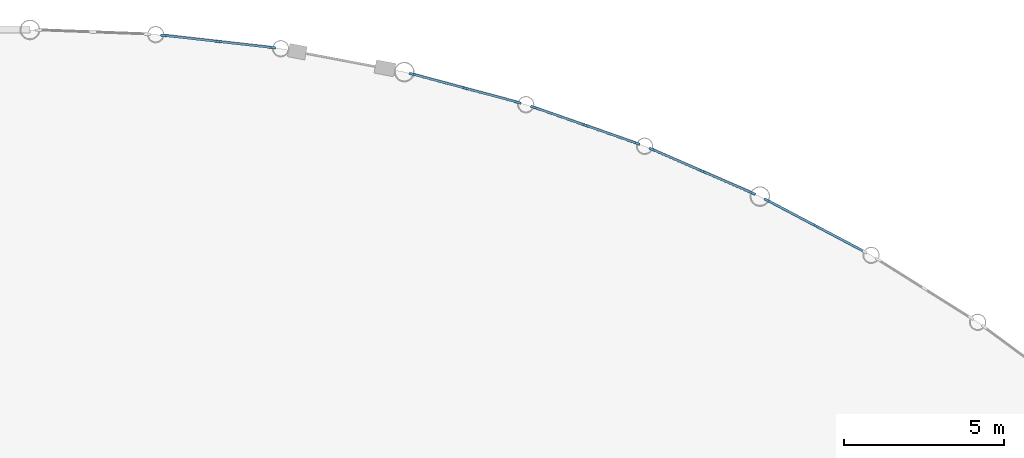
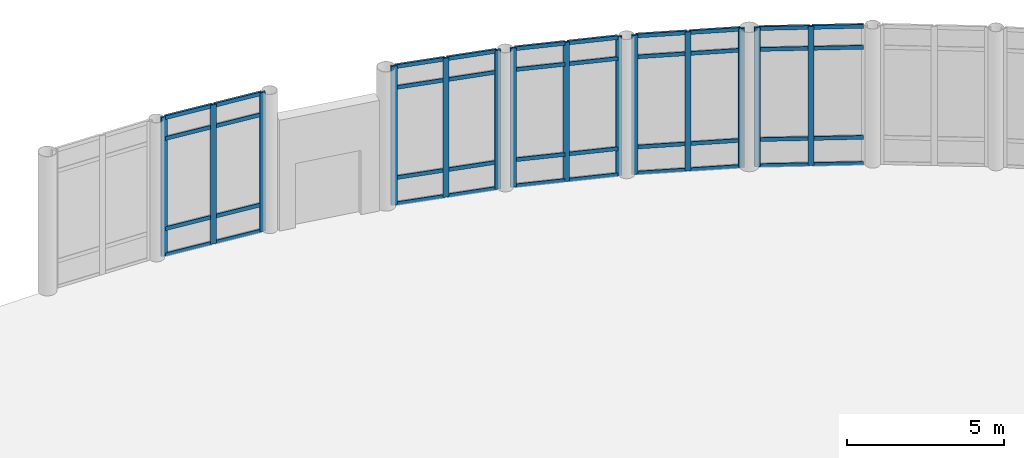
# One storey, part 74 of 111: 54 members, 5 elements without a shape of their own.
"""IFC4 building model written with IfcOpenShell, lengths in metres."""

from ifc_helpers import new_model, si_unit, direction, frame, origin, origin_2d, place, context, subcontext, project, spatial, rectangle, extrude, material, layer, layer_set, material_profile, profile_set, type_object, element, aggregate, save


model = new_model("IFC4")

# Units and contexts
model_context = context("Model", 3, precision=1e-05, world=origin(), true_north=direction((0.0, 1.0)))
body_context = subcontext(model_context, "Body", "Model", "MODEL_VIEW")
ifc_project = project(units=[si_unit("LENGTHUNIT", "METRE"), si_unit("AREAUNIT", "SQUARE_METRE"), si_unit("VOLUMEUNIT", "CUBIC_METRE"), si_unit("PLANEANGLEUNIT", "RADIAN"), si_unit("MASSUNIT", "GRAM", prefix="KILO"), si_unit("THERMODYNAMICTEMPERATUREUNIT", "KELVIN"), si_unit("POWERUNIT", "WATT")], contexts=[model_context])

# Site, building, storey
site_placement = place(None, origin())
site = spatial("IfcSite", under=ifc_project, at=site_placement, CompositionType="ELEMENT")
building_placement = place(site_placement, origin())
building = spatial("IfcBuilding", under=site, at=building_placement, Name="Tembeka Court Mobility Hub", CompositionType="ELEMENT")
storey_placement = place(building_placement, origin())
storey = spatial("IfcBuildingStorey", under=building, at=storey_placement, Name="L00", CompositionType="ELEMENT", Elevation=0.0)

# Curtain wall, members
ifc_material = material(Name="Anodised aluminium 6063-T6", Category="aluminium")
ifc_layer = layer(ifc_material, 0.199951171875)
ifc_layer_set = layer_set([ifc_layer], Name="Anodised aluminium 6063-T6")
curtain_wall_type = type_object("IfcCurtainWallType", Name="CW-SYS24", PredefinedType="USERDEFINED", material=ifc_layer_set)
curtain_wall_1_placement = place(storey_placement, origin())
curtain_wall_1 = element("IfcCurtainWall", 1, at=curtain_wall_1_placement, inside=storey, type_object=curtain_wall_type, Name="Unitised curtain wall CW24 (CW-L00-071)", ObjectType="UNITISED GLAZING", PredefinedType="USERDEFINED")
ifc_material_profile_1 = material_profile(ifc_material, rectangle(XDim=0.074951171875, YDim=0.199951171875, at=origin_2d()), Name="ALU-MUL 75x200")
ifc_profile_set_1 = profile_set([ifc_material_profile_1], Name="Anodised aluminium 6063-T6")
member_type_1 = type_object("IfcMemberType", Name="CW-MUL02", PredefinedType="MULLION", material=ifc_profile_set_1)
member_1_placement = place(storey_placement, frame((148.41455078125, 112.68359375, 0.0), z_axis=(0.0, 0.0, 1.0), x_axis=(-0.467282662225, -0.884107976202, 0.0)))
member_1 = element("IfcMember", 2, at=member_1_placement, type_object=member_type_1, Name="CW24 mullion 2", PredefinedType="MULLION", context=body_context, shape_type="SweptSolid", body=[
    extrude(rectangle(XDim=0.074951171875, YDim=0.199951171875, at=origin_2d()), origin(), (0.0, 0.0, 1.0), 5.39990234375),
])
member_2_placement = place(storey_placement, frame((146.906494140625, 113.48046875, 0.0), z_axis=(0.0, 0.0, 1.0), x_axis=(-0.467282662225, -0.884107976202, 0.0)))
member_2 = element("IfcMember", 3, at=member_2_placement, type_object=member_type_1, Name="CW24 mullion 3", PredefinedType="MULLION", context=body_context, shape_type="SweptSolid", body=[
    extrude(rectangle(XDim=0.074951171875, YDim=0.199951171875, at=origin_2d()), origin(), (0.0, 0.0, 1.0), 5.39990234375),
])

curtain_wall_2_placement = place(storey_placement, origin())
curtain_wall_2 = element("IfcCurtainWall", 4, at=curtain_wall_2_placement, inside=storey, type_object=curtain_wall_type, Name="Unitised curtain wall CW24 (CW-L00-073)", ObjectType="UNITISED GLAZING", PredefinedType="USERDEFINED")
member_3_placement = place(storey_placement, frame((146.44287109375, 113.703857421875, 0.0), z_axis=(0.0, 0.0, 1.0), x_axis=(-0.399869097757, -0.916572258286, 0.0)))
member_3 = element("IfcMember", 5, at=member_3_placement, type_object=member_type_1, Name="CW24 mullion 1", PredefinedType="MULLION", context=body_context, shape_type="SweptSolid", body=[
    extrude(rectangle(XDim=0.074951171875, YDim=0.199951171875, at=origin_2d()), origin(), (0.0, 0.0, 1.0), 5.39990234375),
])
member_4_placement = place(storey_placement, frame((144.879638671875, 114.385986328125, 0.0), z_axis=(0.0, 0.0, 1.0), x_axis=(-0.399869097757, -0.916572258286, 0.0)))
member_4 = element("IfcMember", 6, at=member_4_placement, type_object=member_type_1, Name="CW24 mullion 2", PredefinedType="MULLION", context=body_context, shape_type="SweptSolid", body=[
    extrude(rectangle(XDim=0.074951171875, YDim=0.199951171875, at=origin_2d()), origin(), (0.0, 0.0, 1.0), 5.39990234375),
])
member_5_placement = place(storey_placement, frame((143.31640625, 115.06787109375, 0.0), z_axis=(0.0, 0.0, 1.0), x_axis=(-0.399869097757, -0.916572258286, 0.0)))
member_5 = element("IfcMember", 7, at=member_5_placement, type_object=member_type_1, Name="CW24 mullion 3", PredefinedType="MULLION", context=body_context, shape_type="SweptSolid", body=[
    extrude(rectangle(XDim=0.074951171875, YDim=0.199951171875, at=origin_2d()), origin(), (0.0, 0.0, 1.0), 5.39990234375),
])

curtain_wall_3_placement = place(storey_placement, origin())
curtain_wall_3 = element("IfcCurtainWall", 8, at=curtain_wall_3_placement, inside=storey, type_object=curtain_wall_type, Name="Unitised curtain wall CW24 (CW-L00-075)", ObjectType="UNITISED GLAZING", PredefinedType="USERDEFINED")
member_6_placement = place(storey_placement, frame((142.83740234375, 115.256103515625, 0.0), z_axis=(0.0, 0.0, 1.0), x_axis=(-0.330263534352, -0.943888763508, 0.0)))
member_6 = element("IfcMember", 9, at=member_6_placement, type_object=member_type_1, Name="CW24 mullion 1", PredefinedType="MULLION", context=body_context, shape_type="SweptSolid", body=[
    extrude(rectangle(XDim=0.074951171875, YDim=0.199951171875, at=origin_2d()), origin(), (0.0, 0.0, 1.0), 5.39990234375),
])
member_7_placement = place(storey_placement, frame((141.2275390625, 115.8193359375, 0.0), z_axis=(0.0, 0.0, 1.0), x_axis=(-0.330263534352, -0.943888763508, 0.0)))
member_7 = element("IfcMember", 10, at=member_7_placement, type_object=member_type_1, Name="CW24 mullion 2", PredefinedType="MULLION", context=body_context, shape_type="SweptSolid", body=[
    extrude(rectangle(XDim=0.074951171875, YDim=0.199951171875, at=origin_2d()), origin(), (0.0, 0.0, 1.0), 5.39990234375),
])
member_8_placement = place(storey_placement, frame((139.61767578125, 116.382568359375, 0.0), z_axis=(0.0, 0.0, 1.0), x_axis=(-0.330263534352, -0.943888763508, 0.0)))
member_8 = element("IfcMember", 11, at=member_8_placement, type_object=member_type_1, Name="CW24 mullion 3", PredefinedType="MULLION", context=body_context, shape_type="SweptSolid", body=[
    extrude(rectangle(XDim=0.074951171875, YDim=0.199951171875, at=origin_2d()), origin(), (0.0, 0.0, 1.0), 5.39990234375),
])

curtain_wall_4_placement = place(storey_placement, origin())
curtain_wall_4 = element("IfcCurtainWall", 12, at=curtain_wall_4_placement, inside=storey, type_object=curtain_wall_type, Name="Unitised curtain wall CW24 (CW-L00-077)", ObjectType="UNITISED GLAZING", PredefinedType="USERDEFINED")
member_9_placement = place(storey_placement, frame((139.1259765625, 116.5341796875, 0.0), z_axis=(0.0, 0.0, 1.0), x_axis=(-0.258828327951, -0.96592333891, 0.0)))
member_9 = element("IfcMember", 13, at=member_9_placement, type_object=member_type_1, Name="CW24 mullion 1", PredefinedType="MULLION", context=body_context, shape_type="SweptSolid", body=[
    extrude(rectangle(XDim=0.074951171875, YDim=0.199951171875, at=origin_2d()), origin(), (0.0, 0.0, 1.0), 5.39990234375),
])
member_10_placement = place(storey_placement, frame((137.478515625, 116.9755859375, 0.0), z_axis=(0.0, 0.0, 1.0), x_axis=(-0.258828327951, -0.96592333891, 0.0)))
member_10 = element("IfcMember", 14, at=member_10_placement, type_object=member_type_1, Name="CW24 mullion 2", PredefinedType="MULLION", context=body_context, shape_type="SweptSolid", body=[
    extrude(rectangle(XDim=0.074951171875, YDim=0.199951171875, at=origin_2d()), origin(), (0.0, 0.0, 1.0), 5.39990234375),
])
member_11_placement = place(storey_placement, frame((135.8310546875, 117.4169921875, 0.0), z_axis=(0.0, 0.0, 1.0), x_axis=(-0.258828327951, -0.96592333891, 0.0)))
member_11 = element("IfcMember", 15, at=member_11_placement, type_object=member_type_1, Name="CW24 mullion 3", PredefinedType="MULLION", context=body_context, shape_type="SweptSolid", body=[
    extrude(rectangle(XDim=0.074951171875, YDim=0.199951171875, at=origin_2d()), origin(), (0.0, 0.0, 1.0), 5.39990234375),
])

curtain_wall_5_placement = place(storey_placement, origin())
curtain_wall_5 = element("IfcCurtainWall", 16, at=curtain_wall_5_placement, inside=storey, type_object=curtain_wall_type, Name="Unitised curtain wall CW24 (CW-L00-079)", ObjectType="UNITISED GLAZING", PredefinedType="USERDEFINED")
member_12_placement = place(storey_placement, frame((131.46875, 118.242431640625, 0.0), z_axis=(0.0, 0.0, 1.0), x_axis=(-0.111986683735, -0.993709707443, 0.0)))
member_12 = element("IfcMember", 17, at=member_12_placement, type_object=member_type_1, Name="CW24 mullion 1", PredefinedType="MULLION", context=body_context, shape_type="SweptSolid", body=[
    extrude(rectangle(XDim=0.074951171875, YDim=0.199951171875, at=origin_2d()), origin(), (0.0, 0.0, 1.0), 5.39990234375),
])
member_13_placement = place(storey_placement, frame((129.77392578125, 118.433349609375, 0.0), z_axis=(0.0, 0.0, 1.0), x_axis=(-0.111986683735, -0.993709707443, 0.0)))
member_13 = element("IfcMember", 18, at=member_13_placement, type_object=member_type_1, Name="CW24 mullion 2", PredefinedType="MULLION", context=body_context, shape_type="SweptSolid", body=[
    extrude(rectangle(XDim=0.074951171875, YDim=0.199951171875, at=origin_2d()), origin(), (0.0, 0.0, 1.0), 5.39990234375),
])
member_14_placement = place(storey_placement, frame((128.0791015625, 118.62451171875, 0.0), z_axis=(0.0, 0.0, 1.0), x_axis=(-0.111986683735, -0.993709707443, 0.0)))
member_14 = element("IfcMember", 19, at=member_14_placement, type_object=member_type_1, Name="CW24 mullion 3", PredefinedType="MULLION", context=body_context, shape_type="SweptSolid", body=[
    extrude(rectangle(XDim=0.074951171875, YDim=0.199951171875, at=origin_2d()), origin(), (0.0, 0.0, 1.0), 5.39990234375),
])

# Member
ifc_material_profile_2 = material_profile(ifc_material, rectangle(XDim=0.074951171875, YDim=0.14990234375, at=origin_2d()), Name="ALU-TRN 75x150")
ifc_profile_set_2 = profile_set([ifc_material_profile_2], Name="Anodised aluminium 6063-T6")
member_type_2 = type_object("IfcMemberType", Name="CW-TRN02", PredefinedType="USERDEFINED", material=ifc_profile_set_2)
member_15_placement = place(storey_placement, frame((149.88916015625, 111.904052734375, 0.03759765625), z_axis=(-0.884108194954, 0.467282248341, 0.0), x_axis=(-0.467282248341, -0.884108194954, 0.0)))
member_15 = element("IfcMember", 20, at=member_15_placement, type_object=member_type_2, Name="CW24 transom 1.1", ObjectType="TRANSOM", PredefinedType="USERDEFINED", context=body_context, shape_type="SweptSolid", body=[
    extrude(rectangle(XDim=0.074951171875, YDim=0.14990234375, at=origin_2d()), origin(), (0.0, 0.0, 1.0), 1.630615234375),
])

member_16_placement = place(storey_placement, frame((149.88916015625, 111.904052734375, 1.050048828125), z_axis=(-0.884108194954, 0.467282248341, 0.0), x_axis=(-0.467282248341, -0.884108194954, 0.0)))
member_16 = element("IfcMember", 21, at=member_16_placement, type_object=member_type_2, Name="CW24 transom 1.2", ObjectType="TRANSOM", PredefinedType="USERDEFINED", context=body_context, shape_type="SweptSolid", body=[
    extrude(rectangle(XDim=0.074951171875, YDim=0.14990234375, at=origin_2d()), origin(), (0.0, 0.0, 1.0), 1.630615234375),
])

member_17_placement = place(storey_placement, frame((149.88916015625, 111.904052734375, 4.550048828125), z_axis=(-0.884108194954, 0.467282248341, 0.0), x_axis=(-0.467282248341, -0.884108194954, 0.0)))
member_17 = element("IfcMember", 22, at=member_17_placement, type_object=member_type_2, Name="CW24 transom 1.3", ObjectType="TRANSOM", PredefinedType="USERDEFINED", context=body_context, shape_type="SweptSolid", body=[
    extrude(rectangle(XDim=0.074951171875, YDim=0.14990234375, at=origin_2d()), origin(), (0.0, 0.0, 1.0), 1.630615234375),
])

member_18_placement = place(storey_placement, frame((149.88916015625, 111.904052734375, 5.362548828125), z_axis=(-0.884108194954, 0.467282248341, 0.0), x_axis=(-0.467282248341, -0.884108194954, 0.0)))
member_18 = element("IfcMember", 23, at=member_18_placement, type_object=member_type_2, Name="CW24 transom 1.4", ObjectType="TRANSOM", PredefinedType="USERDEFINED", context=body_context, shape_type="SweptSolid", body=[
    extrude(rectangle(XDim=0.074951171875, YDim=0.14990234375, at=origin_2d()), origin(), (0.0, 0.0, 1.0), 1.630615234375),
])

member_19_placement = place(storey_placement, frame((148.38134765625, 112.701171875, 0.03759765625), z_axis=(-0.884108194954, 0.467282248341, 0.0), x_axis=(-0.467282248341, -0.884108194954, 0.0)))
member_19 = element("IfcMember", 24, at=member_19_placement, type_object=member_type_2, Name="CW24 transom 2.1", ObjectType="TRANSOM", PredefinedType="USERDEFINED", context=body_context, shape_type="SweptSolid", body=[
    extrude(rectangle(XDim=0.074951171875, YDim=0.14990234375, at=origin_2d()), origin(), (0.0, 0.0, 1.0), 1.630615234375),
])

member_20_placement = place(storey_placement, frame((148.38134765625, 112.701171875, 1.050048828125), z_axis=(-0.884108194954, 0.467282248341, 0.0), x_axis=(-0.467282248341, -0.884108194954, 0.0)))
member_20 = element("IfcMember", 25, at=member_20_placement, type_object=member_type_2, Name="CW24 transom 2.2", ObjectType="TRANSOM", PredefinedType="USERDEFINED", context=body_context, shape_type="SweptSolid", body=[
    extrude(rectangle(XDim=0.074951171875, YDim=0.14990234375, at=origin_2d()), origin(), (0.0, 0.0, 1.0), 1.630615234375),
])

member_21_placement = place(storey_placement, frame((148.38134765625, 112.701171875, 4.550048828125), z_axis=(-0.884108194954, 0.467282248341, 0.0), x_axis=(-0.467282248341, -0.884108194954, 0.0)))
member_21 = element("IfcMember", 26, at=member_21_placement, type_object=member_type_2, Name="CW24 transom 2.3", ObjectType="TRANSOM", PredefinedType="USERDEFINED", context=body_context, shape_type="SweptSolid", body=[
    extrude(rectangle(XDim=0.074951171875, YDim=0.14990234375, at=origin_2d()), origin(), (0.0, 0.0, 1.0), 1.630615234375),
])

member_22_placement = place(storey_placement, frame((148.38134765625, 112.701171875, 5.362548828125), z_axis=(-0.884108194954, 0.467282248341, 0.0), x_axis=(-0.467282248341, -0.884108194954, 0.0)))
member_22 = element("IfcMember", 27, at=member_22_placement, type_object=member_type_2, Name="CW24 transom 2.4", ObjectType="TRANSOM", PredefinedType="USERDEFINED", context=body_context, shape_type="SweptSolid", body=[
    extrude(rectangle(XDim=0.074951171875, YDim=0.14990234375, at=origin_2d()), origin(), (0.0, 0.0, 1.0), 1.630615234375),
])

aggregate(curtain_wall_1, [member_1, member_2, member_15, member_16, member_17, member_18, member_19, member_20, member_21, member_22])

member_23_placement = place(storey_placement, frame((146.408447265625, 113.718994140625, 0.03759765625), z_axis=(-0.91659326352, 0.399820946512, 0.0), x_axis=(-0.399820946512, -0.91659326352, 0.0)))
member_23 = element("IfcMember", 28, at=member_23_placement, type_object=member_type_2, Name="CW24 transom 1.1", ObjectType="TRANSOM", PredefinedType="USERDEFINED", context=body_context, shape_type="SweptSolid", body=[
    extrude(rectangle(XDim=0.074951171875, YDim=0.14990234375, at=origin_2d()), origin(), (0.0, 0.0, 1.0), 1.63037109375),
])

member_24_placement = place(storey_placement, frame((146.408447265625, 113.718994140625, 1.050048828125), z_axis=(-0.91659326352, 0.399820946512, 0.0), x_axis=(-0.399820946512, -0.91659326352, 0.0)))
member_24 = element("IfcMember", 29, at=member_24_placement, type_object=member_type_2, Name="CW24 transom 1.2", ObjectType="TRANSOM", PredefinedType="USERDEFINED", context=body_context, shape_type="SweptSolid", body=[
    extrude(rectangle(XDim=0.074951171875, YDim=0.14990234375, at=origin_2d()), origin(), (0.0, 0.0, 1.0), 1.63037109375),
])

member_25_placement = place(storey_placement, frame((146.408447265625, 113.718994140625, 4.550048828125), z_axis=(-0.91659326352, 0.399820946512, 0.0), x_axis=(-0.399820946512, -0.91659326352, 0.0)))
member_25 = element("IfcMember", 30, at=member_25_placement, type_object=member_type_2, Name="CW24 transom 1.3", ObjectType="TRANSOM", PredefinedType="USERDEFINED", context=body_context, shape_type="SweptSolid", body=[
    extrude(rectangle(XDim=0.074951171875, YDim=0.14990234375, at=origin_2d()), origin(), (0.0, 0.0, 1.0), 1.63037109375),
])

member_26_placement = place(storey_placement, frame((146.408447265625, 113.718994140625, 5.362548828125), z_axis=(-0.91659326352, 0.399820946512, 0.0), x_axis=(-0.399820946512, -0.91659326352, 0.0)))
member_26 = element("IfcMember", 31, at=member_26_placement, type_object=member_type_2, Name="CW24 transom 1.4", ObjectType="TRANSOM", PredefinedType="USERDEFINED", context=body_context, shape_type="SweptSolid", body=[
    extrude(rectangle(XDim=0.074951171875, YDim=0.14990234375, at=origin_2d()), origin(), (0.0, 0.0, 1.0), 1.63037109375),
])

member_27_placement = place(storey_placement, frame((144.84521484375, 114.40087890625, 0.03759765625), z_axis=(-0.916538380399, 0.399946743023, 0.0), x_axis=(-0.399946743023, -0.916538380399, 0.0)))
member_27 = element("IfcMember", 32, at=member_27_placement, type_object=member_type_2, Name="CW24 transom 2.1", ObjectType="TRANSOM", PredefinedType="USERDEFINED", context=body_context, shape_type="SweptSolid", body=[
    extrude(rectangle(XDim=0.074951171875, YDim=0.14990234375, at=origin_2d()), origin(), (0.0, 0.0, 1.0), 1.63037109375),
])

member_28_placement = place(storey_placement, frame((144.84521484375, 114.40087890625, 1.050048828125), z_axis=(-0.916538380399, 0.399946743023, 0.0), x_axis=(-0.399946743023, -0.916538380399, 0.0)))
member_28 = element("IfcMember", 33, at=member_28_placement, type_object=member_type_2, Name="CW24 transom 2.2", ObjectType="TRANSOM", PredefinedType="USERDEFINED", context=body_context, shape_type="SweptSolid", body=[
    extrude(rectangle(XDim=0.074951171875, YDim=0.14990234375, at=origin_2d()), origin(), (0.0, 0.0, 1.0), 1.63037109375),
])

member_29_placement = place(storey_placement, frame((144.84521484375, 114.40087890625, 4.550048828125), z_axis=(-0.916538380399, 0.399946743023, 0.0), x_axis=(-0.399946743023, -0.916538380399, 0.0)))
member_29 = element("IfcMember", 34, at=member_29_placement, type_object=member_type_2, Name="CW24 transom 2.3", ObjectType="TRANSOM", PredefinedType="USERDEFINED", context=body_context, shape_type="SweptSolid", body=[
    extrude(rectangle(XDim=0.074951171875, YDim=0.14990234375, at=origin_2d()), origin(), (0.0, 0.0, 1.0), 1.63037109375),
])

member_30_placement = place(storey_placement, frame((144.84521484375, 114.40087890625, 5.362548828125), z_axis=(-0.916538380399, 0.399946743023, 0.0), x_axis=(-0.399946743023, -0.916538380399, 0.0)))
member_30 = element("IfcMember", 35, at=member_30_placement, type_object=member_type_2, Name="CW24 transom 2.4", ObjectType="TRANSOM", PredefinedType="USERDEFINED", context=body_context, shape_type="SweptSolid", body=[
    extrude(rectangle(XDim=0.074951171875, YDim=0.14990234375, at=origin_2d()), origin(), (0.0, 0.0, 1.0), 1.63037109375),
])

aggregate(curtain_wall_2, [member_3, member_4, member_5, member_23, member_24, member_25, member_26, member_27, member_28, member_29, member_30])

member_31_placement = place(storey_placement, frame((142.802001953125, 115.268310546875, 0.03759765625), z_axis=(-0.94387702901, 0.330297069479, 0.0), x_axis=(-0.330297069479, -0.94387702901, 0.0)))
member_31 = element("IfcMember", 36, at=member_31_placement, type_object=member_type_2, Name="CW24 transom 1.1", ObjectType="TRANSOM", PredefinedType="USERDEFINED", context=body_context, shape_type="SweptSolid", body=[
    extrude(rectangle(XDim=0.074951171875, YDim=0.14990234375, at=origin_2d()), origin(), (0.0, 0.0, 1.0), 1.630615234375),
])

member_32_placement = place(storey_placement, frame((142.802001953125, 115.268310546875, 1.050048828125), z_axis=(-0.94387702901, 0.330297069479, 0.0), x_axis=(-0.330297069479, -0.94387702901, 0.0)))
member_32 = element("IfcMember", 37, at=member_32_placement, type_object=member_type_2, Name="CW24 transom 1.2", ObjectType="TRANSOM", PredefinedType="USERDEFINED", context=body_context, shape_type="SweptSolid", body=[
    extrude(rectangle(XDim=0.074951171875, YDim=0.14990234375, at=origin_2d()), origin(), (0.0, 0.0, 1.0), 1.630615234375),
])

member_33_placement = place(storey_placement, frame((142.802001953125, 115.268310546875, 4.550048828125), z_axis=(-0.94387702901, 0.330297069479, 0.0), x_axis=(-0.330297069479, -0.94387702901, 0.0)))
member_33 = element("IfcMember", 38, at=member_33_placement, type_object=member_type_2, Name="CW24 transom 1.3", ObjectType="TRANSOM", PredefinedType="USERDEFINED", context=body_context, shape_type="SweptSolid", body=[
    extrude(rectangle(XDim=0.074951171875, YDim=0.14990234375, at=origin_2d()), origin(), (0.0, 0.0, 1.0), 1.630615234375),
])

member_34_placement = place(storey_placement, frame((142.802001953125, 115.268310546875, 5.362548828125), z_axis=(-0.94387702901, 0.330297069479, 0.0), x_axis=(-0.330297069479, -0.94387702901, 0.0)))
member_34 = element("IfcMember", 39, at=member_34_placement, type_object=member_type_2, Name="CW24 transom 1.4", ObjectType="TRANSOM", PredefinedType="USERDEFINED", context=body_context, shape_type="SweptSolid", body=[
    extrude(rectangle(XDim=0.074951171875, YDim=0.14990234375, at=origin_2d()), origin(), (0.0, 0.0, 1.0), 1.630615234375),
])

member_35_placement = place(storey_placement, frame((141.192138671875, 115.83154296875, 0.03759765625), z_axis=(-0.94387702901, 0.330297069479, 0.0), x_axis=(-0.330297069479, -0.94387702901, 0.0)))
member_35 = element("IfcMember", 40, at=member_35_placement, type_object=member_type_2, Name="CW24 transom 2.1", ObjectType="TRANSOM", PredefinedType="USERDEFINED", context=body_context, shape_type="SweptSolid", body=[
    extrude(rectangle(XDim=0.074951171875, YDim=0.14990234375, at=origin_2d()), origin(), (0.0, 0.0, 1.0), 1.630615234375),
])

member_36_placement = place(storey_placement, frame((141.192138671875, 115.83154296875, 1.050048828125), z_axis=(-0.94387702901, 0.330297069479, 0.0), x_axis=(-0.330297069479, -0.94387702901, 0.0)))
member_36 = element("IfcMember", 41, at=member_36_placement, type_object=member_type_2, Name="CW24 transom 2.2", ObjectType="TRANSOM", PredefinedType="USERDEFINED", context=body_context, shape_type="SweptSolid", body=[
    extrude(rectangle(XDim=0.074951171875, YDim=0.14990234375, at=origin_2d()), origin(), (0.0, 0.0, 1.0), 1.630615234375),
])

member_37_placement = place(storey_placement, frame((141.192138671875, 115.83154296875, 4.550048828125), z_axis=(-0.94387702901, 0.330297069479, 0.0), x_axis=(-0.330297069479, -0.94387702901, 0.0)))
member_37 = element("IfcMember", 42, at=member_37_placement, type_object=member_type_2, Name="CW24 transom 2.3", ObjectType="TRANSOM", PredefinedType="USERDEFINED", context=body_context, shape_type="SweptSolid", body=[
    extrude(rectangle(XDim=0.074951171875, YDim=0.14990234375, at=origin_2d()), origin(), (0.0, 0.0, 1.0), 1.630615234375),
])

member_38_placement = place(storey_placement, frame((141.192138671875, 115.83154296875, 5.362548828125), z_axis=(-0.94387702901, 0.330297069479, 0.0), x_axis=(-0.330297069479, -0.94387702901, 0.0)))
member_38 = element("IfcMember", 43, at=member_38_placement, type_object=member_type_2, Name="CW24 transom 2.4", ObjectType="TRANSOM", PredefinedType="USERDEFINED", context=body_context, shape_type="SweptSolid", body=[
    extrude(rectangle(XDim=0.074951171875, YDim=0.14990234375, at=origin_2d()), origin(), (0.0, 0.0, 1.0), 1.630615234375),
])

aggregate(curtain_wall_3, [member_6, member_7, member_8, member_31, member_32, member_33, member_34, member_35, member_36, member_37, member_38])

member_39_placement = place(storey_placement, frame((139.089599609375, 116.5439453125, 0.03759765625), z_axis=(-0.965908614195, 0.258883272972, 0.0), x_axis=(-0.258883272972, -0.965908614195, 0.0)))
member_39 = element("IfcMember", 44, at=member_39_placement, type_object=member_type_2, Name="CW24 transom 1.1", ObjectType="TRANSOM", PredefinedType="USERDEFINED", context=body_context, shape_type="SweptSolid", body=[
    extrude(rectangle(XDim=0.074951171875, YDim=0.14990234375, at=origin_2d()), origin(), (0.0, 0.0, 1.0), 1.630615234375),
])

member_40_placement = place(storey_placement, frame((139.089599609375, 116.5439453125, 1.050048828125), z_axis=(-0.965908614195, 0.258883272972, 0.0), x_axis=(-0.258883272972, -0.965908614195, 0.0)))
member_40 = element("IfcMember", 45, at=member_40_placement, type_object=member_type_2, Name="CW24 transom 1.2", ObjectType="TRANSOM", PredefinedType="USERDEFINED", context=body_context, shape_type="SweptSolid", body=[
    extrude(rectangle(XDim=0.074951171875, YDim=0.14990234375, at=origin_2d()), origin(), (0.0, 0.0, 1.0), 1.630615234375),
])

member_41_placement = place(storey_placement, frame((139.089599609375, 116.5439453125, 4.550048828125), z_axis=(-0.965908614195, 0.258883272972, 0.0), x_axis=(-0.258883272972, -0.965908614195, 0.0)))
member_41 = element("IfcMember", 46, at=member_41_placement, type_object=member_type_2, Name="CW24 transom 1.3", ObjectType="TRANSOM", PredefinedType="USERDEFINED", context=body_context, shape_type="SweptSolid", body=[
    extrude(rectangle(XDim=0.074951171875, YDim=0.14990234375, at=origin_2d()), origin(), (0.0, 0.0, 1.0), 1.630615234375),
])

member_42_placement = place(storey_placement, frame((139.089599609375, 116.5439453125, 5.362548828125), z_axis=(-0.965908614195, 0.258883272972, 0.0), x_axis=(-0.258883272972, -0.965908614195, 0.0)))
member_42 = element("IfcMember", 47, at=member_42_placement, type_object=member_type_2, Name="CW24 transom 1.4", ObjectType="TRANSOM", PredefinedType="USERDEFINED", context=body_context, shape_type="SweptSolid", body=[
    extrude(rectangle(XDim=0.074951171875, YDim=0.14990234375, at=origin_2d()), origin(), (0.0, 0.0, 1.0), 1.630615234375),
])

member_43_placement = place(storey_placement, frame((137.442138671875, 116.9853515625, 0.03759765625), z_axis=(-0.965908614195, 0.258883272972, 0.0), x_axis=(-0.258883272972, -0.965908614195, 0.0)))
member_43 = element("IfcMember", 48, at=member_43_placement, type_object=member_type_2, Name="CW24 transom 2.1", ObjectType="TRANSOM", PredefinedType="USERDEFINED", context=body_context, shape_type="SweptSolid", body=[
    extrude(rectangle(XDim=0.074951171875, YDim=0.14990234375, at=origin_2d()), origin(), (0.0, 0.0, 1.0), 1.630615234375),
])

member_44_placement = place(storey_placement, frame((137.442138671875, 116.9853515625, 1.050048828125), z_axis=(-0.965908614195, 0.258883272972, 0.0), x_axis=(-0.258883272972, -0.965908614195, 0.0)))
member_44 = element("IfcMember", 49, at=member_44_placement, type_object=member_type_2, Name="CW24 transom 2.2", ObjectType="TRANSOM", PredefinedType="USERDEFINED", context=body_context, shape_type="SweptSolid", body=[
    extrude(rectangle(XDim=0.074951171875, YDim=0.14990234375, at=origin_2d()), origin(), (0.0, 0.0, 1.0), 1.630615234375),
])

member_45_placement = place(storey_placement, frame((137.442138671875, 116.9853515625, 4.550048828125), z_axis=(-0.965908614195, 0.258883272972, 0.0), x_axis=(-0.258883272972, -0.965908614195, 0.0)))
member_45 = element("IfcMember", 50, at=member_45_placement, type_object=member_type_2, Name="CW24 transom 2.3", ObjectType="TRANSOM", PredefinedType="USERDEFINED", context=body_context, shape_type="SweptSolid", body=[
    extrude(rectangle(XDim=0.074951171875, YDim=0.14990234375, at=origin_2d()), origin(), (0.0, 0.0, 1.0), 1.630615234375),
])

member_46_placement = place(storey_placement, frame((137.442138671875, 116.9853515625, 5.362548828125), z_axis=(-0.965908614195, 0.258883272972, 0.0), x_axis=(-0.258883272972, -0.965908614195, 0.0)))
member_46 = element("IfcMember", 51, at=member_46_placement, type_object=member_type_2, Name="CW24 transom 2.4", ObjectType="TRANSOM", PredefinedType="USERDEFINED", context=body_context, shape_type="SweptSolid", body=[
    extrude(rectangle(XDim=0.074951171875, YDim=0.14990234375, at=origin_2d()), origin(), (0.0, 0.0, 1.0), 1.630615234375),
])

aggregate(curtain_wall_4, [member_9, member_10, member_11, member_39, member_40, member_41, member_42, member_43, member_44, member_45, member_46])

member_47_placement = place(storey_placement, frame((131.431640625, 118.24658203125, 0.03759765625), z_axis=(-0.99370904947, 0.111992522074, 0.0), x_axis=(-0.111992522074, -0.99370904947, 0.0)))
member_47 = element("IfcMember", 52, at=member_47_placement, type_object=member_type_2, Name="CW24 transom 1.1", ObjectType="TRANSOM", PredefinedType="USERDEFINED", context=body_context, shape_type="SweptSolid", body=[
    extrude(rectangle(XDim=0.074951171875, YDim=0.14990234375, at=origin_2d()), origin(), (0.0, 0.0, 1.0), 1.630615234375),
])

member_48_placement = place(storey_placement, frame((131.431640625, 118.24658203125, 1.050048828125), z_axis=(-0.99370904947, 0.111992522074, 0.0), x_axis=(-0.111992522074, -0.99370904947, 0.0)))
member_48 = element("IfcMember", 53, at=member_48_placement, type_object=member_type_2, Name="CW24 transom 1.2", ObjectType="TRANSOM", PredefinedType="USERDEFINED", context=body_context, shape_type="SweptSolid", body=[
    extrude(rectangle(XDim=0.074951171875, YDim=0.14990234375, at=origin_2d()), origin(), (0.0, 0.0, 1.0), 1.630615234375),
])

member_49_placement = place(storey_placement, frame((131.431640625, 118.24658203125, 4.550048828125), z_axis=(-0.99370904947, 0.111992522074, 0.0), x_axis=(-0.111992522074, -0.99370904947, 0.0)))
member_49 = element("IfcMember", 54, at=member_49_placement, type_object=member_type_2, Name="CW24 transom 1.3", ObjectType="TRANSOM", PredefinedType="USERDEFINED", context=body_context, shape_type="SweptSolid", body=[
    extrude(rectangle(XDim=0.074951171875, YDim=0.14990234375, at=origin_2d()), origin(), (0.0, 0.0, 1.0), 1.630615234375),
])

member_50_placement = place(storey_placement, frame((131.431640625, 118.24658203125, 5.362548828125), z_axis=(-0.99370904947, 0.111992522074, 0.0), x_axis=(-0.111992522074, -0.99370904947, 0.0)))
member_50 = element("IfcMember", 55, at=member_50_placement, type_object=member_type_2, Name="CW24 transom 1.4", ObjectType="TRANSOM", PredefinedType="USERDEFINED", context=body_context, shape_type="SweptSolid", body=[
    extrude(rectangle(XDim=0.074951171875, YDim=0.14990234375, at=origin_2d()), origin(), (0.0, 0.0, 1.0), 1.630615234375),
])

member_51_placement = place(storey_placement, frame((129.73681640625, 118.4375, 0.03759765625), z_axis=(-0.99370904947, 0.111992522074, 0.0), x_axis=(-0.111992522074, -0.99370904947, 0.0)))
member_51 = element("IfcMember", 56, at=member_51_placement, type_object=member_type_2, Name="CW24 transom 2.1", ObjectType="TRANSOM", PredefinedType="USERDEFINED", context=body_context, shape_type="SweptSolid", body=[
    extrude(rectangle(XDim=0.074951171875, YDim=0.14990234375, at=origin_2d()), origin(), (0.0, 0.0, 1.0), 1.630615234375),
])

member_52_placement = place(storey_placement, frame((129.73681640625, 118.4375, 1.050048828125), z_axis=(-0.99370904947, 0.111992522074, 0.0), x_axis=(-0.111992522074, -0.99370904947, 0.0)))
member_52 = element("IfcMember", 57, at=member_52_placement, type_object=member_type_2, Name="CW24 transom 2.2", ObjectType="TRANSOM", PredefinedType="USERDEFINED", context=body_context, shape_type="SweptSolid", body=[
    extrude(rectangle(XDim=0.074951171875, YDim=0.14990234375, at=origin_2d()), origin(), (0.0, 0.0, 1.0), 1.630615234375),
])

member_53_placement = place(storey_placement, frame((129.73681640625, 118.4375, 4.550048828125), z_axis=(-0.99370904947, 0.111992522074, 0.0), x_axis=(-0.111992522074, -0.99370904947, 0.0)))
member_53 = element("IfcMember", 58, at=member_53_placement, type_object=member_type_2, Name="CW24 transom 2.3", ObjectType="TRANSOM", PredefinedType="USERDEFINED", context=body_context, shape_type="SweptSolid", body=[
    extrude(rectangle(XDim=0.074951171875, YDim=0.14990234375, at=origin_2d()), origin(), (0.0, 0.0, 1.0), 1.630615234375),
])

member_54_placement = place(storey_placement, frame((129.73681640625, 118.4375, 5.362548828125), z_axis=(-0.99370904947, 0.111992522074, 0.0), x_axis=(-0.111992522074, -0.99370904947, 0.0)))
member_54 = element("IfcMember", 59, at=member_54_placement, type_object=member_type_2, Name="CW24 transom 2.4", ObjectType="TRANSOM", PredefinedType="USERDEFINED", context=body_context, shape_type="SweptSolid", body=[
    extrude(rectangle(XDim=0.074951171875, YDim=0.14990234375, at=origin_2d()), origin(), (0.0, 0.0, 1.0), 1.630615234375),
])

aggregate(curtain_wall_5, [member_12, member_13, member_14, member_47, member_48, member_49, member_50, member_51, member_52, member_53, member_54])

save(model, "model.ifc")
